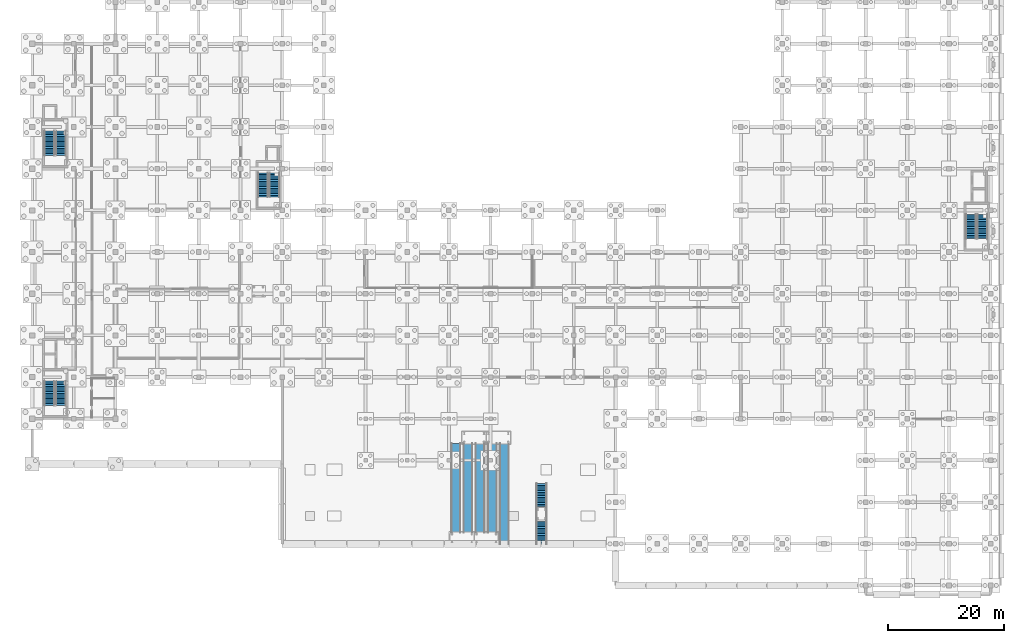
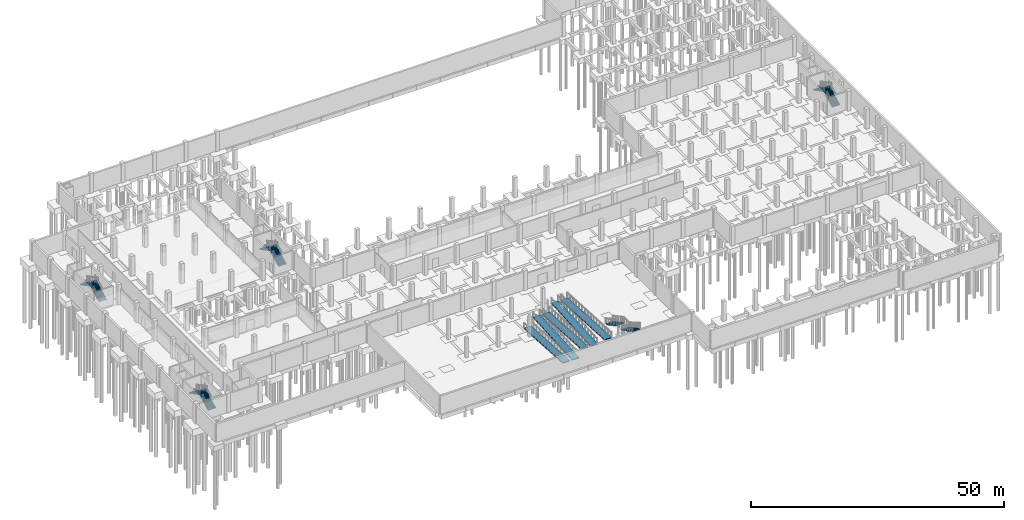
# One storey, part 31 of 38: 10 stair flights, 5 ramp flights, 10 elements without a shape of their own.
"""IFC4 building model written with IfcOpenShell, lengths in metres."""

import ifcopenshell
import ifcopenshell.guid

model = None  # the IFC model being written
_history = None  # IfcOwnerHistory: only IFC2X3 demands one
_inside = {}  # id of a spatial element -> (the spatial element, [elements in it])
_under = {}  # id of a project, library or spatial element -> (it, [spatial elements below it])
_declared = {}  # id of a project -> (the project, [libraries it declares])
_typed = {}  # id of a type object -> (the type object, [elements of that type])
_made_of = {}  # id of a material, layer set ... -> (it, [elements and type objects made of it])


def new_model(schema):
    """Start an empty IFC model of exactly this schema.

    Asked for "IFC4X3", IfcOpenShell would pick the latest addendum, in which some entities
    have other attributes; the version numbers below select the first issue.
    IFC2X3 requires an IfcOwnerHistory on every rooted entity: one is made here for all.
    """
    global model, _history
    if schema == "IFC4X3":
        model = ifcopenshell.file(schema_version=(4, 3, 0, 0))
    else:
        model = ifcopenshell.file(schema=schema)
    _inside.clear()
    _under.clear()
    _declared.clear()
    _typed.clear()
    _made_of.clear()
    _history = None
    if model.schema == "IFC2X3":
        org = make("IfcOrganization", Name="unknown")
        user = make(
            "IfcPersonAndOrganization",
            ThePerson=make("IfcPerson", FamilyName="unknown"),
            TheOrganization=org,
        )
        app = make(
            "IfcApplication",
            ApplicationDeveloper=org,
            Version="unknown",
            ApplicationFullName="unknown",
            ApplicationIdentifier="unknown",
        )
        _history = make(
            "IfcOwnerHistory",
            OwningUser=user,
            OwningApplication=app,
            ChangeAction="ADDED",
            CreationDate=0,
        )
    return model


def make(cls, **values):
    """One entity of the class cls with the attributes given. An attribute that is None is left unset."""
    return model.create_entity(
        cls, **{name: value for name, value in values.items() if value is not None}
    )


def rooted(cls, **values):
    """An entity with a GlobalId (a new one), such as an element, a storey or a relation."""
    return make(cls, GlobalId=ifcopenshell.guid.new(), OwnerHistory=_history, **values)


def si_unit(unit_type, name, prefix=None):
    """IfcSIUnit, for example si_unit("LENGTHUNIT", "METRE", prefix="MILLI")."""
    return make("IfcSIUnit", UnitType=unit_type, Prefix=prefix, Name=name)


def assignment(units):
    """IfcUnitAssignment: the units of a project."""
    return None if units is None else make("IfcUnitAssignment", Units=units)


def point(xyz):
    """IfcCartesianPoint."""
    return None if xyz is None else make("IfcCartesianPoint", Coordinates=xyz)


def direction(xyz):
    """IfcDirection."""
    return None if xyz is None else make("IfcDirection", DirectionRatios=xyz)


def frame(location, z_axis=None, x_axis=None):
    """IfcAxis2Placement3D, a coordinate frame: its origin and axes. An axis left out is left unset."""
    return make(
        "IfcAxis2Placement3D",
        Location=point(location),
        Axis=direction(z_axis),
        RefDirection=direction(x_axis),
    )


def origin():
    """The frame at (0, 0, 0) with its axes left unset."""
    return frame((0.0, 0.0, 0.0))


def place(relative_to, where):
    """IfcLocalPlacement: puts the frame where relative to a parent placement (None: the world)."""
    return make(
        "IfcLocalPlacement", PlacementRelTo=relative_to, RelativePlacement=where
    )


def context(
    kind, dimensions, precision=None, world=None, true_north=None, identifier=None
):
    """IfcGeometricRepresentationContext, for example the 3D "Model" context."""
    return make(
        "IfcGeometricRepresentationContext",
        ContextIdentifier=identifier,
        ContextType=kind,
        CoordinateSpaceDimension=dimensions,
        Precision=precision,
        WorldCoordinateSystem=world,
        TrueNorth=true_north,
    )


def subcontext(parent, identifier, kind, view, scale=None):
    """IfcGeometricRepresentationSubContext, for example "Body" below "Model"."""
    return make(
        "IfcGeometricRepresentationSubContext",
        ContextIdentifier=identifier,
        ContextType=kind,
        ParentContext=parent,
        TargetScale=scale,
        TargetView=view,
    )


def project(units=None, contexts=None):
    """IfcProject with its units and contexts."""
    return rooted(
        "IfcProject",
        Name="project",
        RepresentationContexts=contexts,
        UnitsInContext=assignment(units),
    )


def spatial(cls, under=None, at=None, **own):
    """A site, building, storey or space (cls), placed at a placement, below another one or the project."""
    s = rooted(cls, ObjectPlacement=at, **own)
    if under is not None:
        _under.setdefault(under.id(), (under, []))[1].append(s)
    return s


def polyline(points):
    """IfcPolyline through the points."""
    return make("IfcPolyline", Points=[point(p) for p in points])


def outline(outer, holes=None, kind="AREA"):
    """IfcArbitraryClosedProfileDef: a profile drawn as a closed curve; with holes, ...WithVoids."""
    if holes is None:
        return make("IfcArbitraryClosedProfileDef", ProfileType=kind, OuterCurve=outer)
    return make(
        "IfcArbitraryProfileDefWithVoids",
        ProfileType=kind,
        OuterCurve=outer,
        InnerCurves=holes,
    )


def extrude(swept, where, along, depth):
    """IfcExtrudedAreaSolid: the profile swept, set in the frame where, extruded along a direction by depth."""
    return make(
        "IfcExtrudedAreaSolid",
        SweptArea=swept,
        Position=where,
        ExtrudedDirection=direction(along),
        Depth=depth,
    )


def shape(context_of_items, identifier, shape_type, items):
    """IfcShapeRepresentation: the items that make up one representation, for example the "Body"."""
    return make(
        "IfcShapeRepresentation",
        ContextOfItems=context_of_items,
        RepresentationIdentifier=identifier,
        RepresentationType=shape_type,
        Items=items,
    )


def material(Name=None, Category=None):
    """IfcMaterial."""
    return make("IfcMaterial", Name=Name, Category=Category)


def layer(
    of_material, thickness, ventilated=None, Name=None, Category=None, Priority=None
):
    """IfcMaterialLayer: one layer of a wall or slab, of a material (None: an air gap)."""
    return make(
        "IfcMaterialLayer",
        Material=of_material,
        LayerThickness=thickness,
        IsVentilated=ventilated,
        Name=Name,
        Category=Category,
        Priority=Priority,
    )


def layer_set(layers, Name=None):
    """IfcMaterialLayerSet."""
    return make("IfcMaterialLayerSet", MaterialLayers=layers, LayerSetName=Name)


def made_of(thing, what):
    """Note that an element or type object is made of a material, layer set ...; save() writes the relation."""
    if what is not None:
        _made_of.setdefault(what.id(), (what, []))[1].append(thing)
    return thing


def type_object(cls, material=None, **own):
    """A type object (cls), such as IfcWallType, which elements share."""
    return made_of(rooted(cls, **own), material)


def element(
    cls,
    number,
    at=None,
    inside=None,
    cuts=None,
    type_object=None,
    material=None,
    context=None,
    identifier="Body",
    shape_type=None,
    held_by="IfcProductDefinitionShape",
    body=None,
    shapes=None,
    **own,
):
    """One element of the class cls, such as IfcWall. Its Tag is "e" and its number.

    at: its placement. inside: the storey or other place that contains it. cuts: it is an
    opening in that element (IfcRelVoidsElement). A single representation is given by context,
    identifier, shape_type and body (its items); several are given by shapes. held_by: the class
    of the entity that holds the representations. save() writes the other relations.
    """
    e = rooted(cls, Tag="e%d" % number, ObjectPlacement=at, **own)
    if body is not None:
        shapes = [shape(context, identifier, shape_type, body)]
    if shapes is not None:
        e.Representation = make(held_by, Representations=shapes)
    if inside is not None:
        _inside.setdefault(inside.id(), (inside, []))[1].append(e)
    if cuts is not None:
        rooted(
            "IfcRelVoidsElement", RelatingBuildingElement=cuts, RelatedOpeningElement=e
        )
    if type_object is not None:
        _typed.setdefault(type_object.id(), (type_object, []))[1].append(e)
    return made_of(e, material)


def aggregate(whole, parts):
    """IfcRelAggregates: a whole, such as a stair, and the parts it consists of."""
    return rooted("IfcRelAggregates", RelatingObject=whole, RelatedObjects=parts)


def save(model, path):
    """Write the relations noted so far, then the file.

    IfcRelAggregates (storeys below a building ...), IfcRelContainedInSpatialStructure (elements
    in a storey), IfcRelDefinesByType, IfcRelAssociatesMaterial and IfcRelDeclares: one each for
    every whole, place, type object, material and project.
    """
    for whole, parts in _under.values():
        aggregate(whole, parts)
    for where, things in _inside.values():
        rooted(
            "IfcRelContainedInSpatialStructure",
            RelatedElements=things,
            RelatingStructure=where,
        )
    for kind, things in _typed.values():
        rooted("IfcRelDefinesByType", RelatedObjects=things, RelatingType=kind)
    for what, things in _made_of.values():
        rooted("IfcRelAssociatesMaterial", RelatedObjects=things, RelatingMaterial=what)
    for by, libraries in _declared.values():
        rooted("IfcRelDeclares", RelatingContext=by, RelatedDefinitions=libraries)
    model.write(path)


model = new_model("IFC4")

# Units and contexts
model_context = context("Model", 3, precision=1e-05, world=origin(), true_north=direction((0.0, 1.0)))
body_context = subcontext(model_context, "Body", "Model", "MODEL_VIEW")
ifc_project = project(units=[si_unit("LENGTHUNIT", "METRE"), si_unit("AREAUNIT", "SQUARE_METRE"), si_unit("VOLUMEUNIT", "CUBIC_METRE"), si_unit("PLANEANGLEUNIT", "RADIAN"), si_unit("MASSUNIT", "GRAM", prefix="KILO")], contexts=[model_context])

# Site, building, storey
site_placement = place(None, origin())
site = spatial("IfcSite", under=ifc_project, at=site_placement, CompositionType="ELEMENT")
building_placement = place(site_placement, origin())
building = spatial("IfcBuilding", under=site, at=building_placement, Name="Valkovuoma Quantum and Materials Research Institute", CompositionType="ELEMENT")
storey_placement = place(building_placement, frame((0.0, 0.0, -4.800048828125)))
storey = spatial("IfcBuildingStorey", under=building, at=storey_placement, Name="B1", CompositionType="ELEMENT", Elevation=-4.800048828125)

# Stair, stair flights
ifc_material_1 = material(Name="Concrete C40/50", Category="concrete")
stair_type_1 = type_object("IfcStairType", Name="Stair-ST-COR", PredefinedType="HALF_TURN_STAIR", material=ifc_material_1)
stair_1_placement = place(storey_placement, origin())
stair_1 = element("IfcStair", 1, at=stair_1_placement, inside=storey, type_object=stair_type_1, Name="B1 Exit Stair ST-1", PredefinedType="HALF_TURN_STAIR")
ifc_material_2 = material(Name="Concrete C40/50", Category="concrete")
stair_flight_type_1 = type_object("IfcStairFlightType", Name="Flight-STF-145", PredefinedType="STRAIGHT", material=ifc_material_2)
stair_flight_1_placement = place(storey_placement, frame((4.949951171875, 31.10009765625, 0.0), z_axis=(0.0, 0.0, 1.0), x_axis=(0.0, 1.0, 0.0)))
stair_flight_1 = element("IfcStairFlight", 2, at=stair_flight_1_placement, type_object=stair_flight_type_1, Name="ST-1 flight 1", NumberOfRisers=15, NumberOfTreads=14, PredefinedType="STRAIGHT", RiserHeight=0.16, TreadLength=0.3, context=body_context, shape_type="SweptSolid", body=[
    extrude(outline(polyline([(0.0, 0.0), (0.0, 0.159912109375), (0.300048828125, 0.159912109375), (0.300048828125, 0.320068359375), (0.60009765625, 0.320068359375), (0.60009765625, 0.47998046875), (0.89990234375, 0.47998046875), (0.89990234375, 0.639892578125), (1.199951171875, 0.639892578125), (1.199951171875, 0.800048828125), (1.5, 0.800048828125), (1.5, 0.9599609375), (1.800048828125, 0.9599609375), (1.800048828125, 1.1201171875), (2.10009765625, 1.1201171875), (2.10009765625, 1.280029296875), (2.39990234375, 1.280029296875), (2.39990234375, 1.43994140625), (2.699951171875, 1.43994140625), (2.699951171875, 1.60009765625), (3.0, 1.60009765625), (3.0, 1.760009765625), (3.300048828125, 1.760009765625), (3.300048828125, 1.919921875), (3.60009765625, 1.919921875), (3.60009765625, 2.080078125), (3.89990234375, 2.080078125), (3.89990234375, 2.239990234375), (4.199951171875, 2.239990234375), (4.199951171875, 2.39990234375), (4.199951171875, 2.070068359375), (0.318603515625, 0.0), (0.0, 0.0)])), frame((0.0, 0.89990234375, 0.0), z_axis=(0.0, -1.0, 0.0), x_axis=(1.0, 0.0, 0.0)), (0.0, 0.0, 1.0), 1.800048828125),
])
stair_flight_2_placement = place(storey_placement, frame((3.0, 35.300048828125, 2.400146484375), z_axis=(0.0, 0.0, 1.0), x_axis=(0.0, -1.0, 0.0)))
stair_flight_2 = element("IfcStairFlight", 3, at=stair_flight_2_placement, type_object=stair_flight_type_1, Name="ST-1 flight 2", NumberOfRisers=15, NumberOfTreads=14, PredefinedType="STRAIGHT", RiserHeight=0.16, TreadLength=0.3, context=body_context, shape_type="SweptSolid", body=[
    extrude(outline(polyline([(0.0, 0.0), (0.0, 0.159912109375), (0.300048828125, 0.159912109375), (0.300048828125, 0.320068359375), (0.60009765625, 0.320068359375), (0.60009765625, 0.47998046875), (0.89990234375, 0.47998046875), (0.89990234375, 0.639892578125), (1.199951171875, 0.639892578125), (1.199951171875, 0.800048828125), (1.5, 0.800048828125), (1.5, 0.9599609375), (1.800048828125, 0.9599609375), (1.800048828125, 1.1201171875), (2.10009765625, 1.1201171875), (2.10009765625, 1.280029296875), (2.39990234375, 1.280029296875), (2.39990234375, 1.43994140625), (2.699951171875, 1.43994140625), (2.699951171875, 1.60009765625), (3.0, 1.60009765625), (3.0, 1.760009765625), (3.300048828125, 1.760009765625), (3.300048828125, 1.919921875), (3.60009765625, 1.919921875), (3.60009765625, 2.080078125), (3.89990234375, 2.080078125), (3.89990234375, 2.239990234375), (4.199951171875, 2.239990234375), (4.199951171875, 2.39990234375), (4.199951171875, 2.070068359375), (0.318603515625, 0.0), (0.0, 0.0)])), frame((0.0, 0.89990234375, 0.0), z_axis=(0.0, -1.0, 0.0), x_axis=(1.0, 0.0, 0.0)), (0.0, 0.0, 1.0), 1.800048828125),
])
aggregate(stair_1, [stair_flight_1, stair_flight_2])

stair_2_placement = place(storey_placement, origin())
stair_2 = element("IfcStair", 4, at=stair_2_placement, inside=storey, type_object=stair_type_1, Name="B1 Exit Stair ST-2", PredefinedType="HALF_TURN_STAIR")
stair_flight_3_placement = place(storey_placement, frame((4.949951171875, 74.300048828125, 0.0), z_axis=(0.0, 0.0, 1.0), x_axis=(0.0, 1.0, 0.0)))
stair_flight_3 = element("IfcStairFlight", 5, at=stair_flight_3_placement, type_object=stair_flight_type_1, Name="ST-2 flight 1", NumberOfRisers=15, NumberOfTreads=14, PredefinedType="STRAIGHT", RiserHeight=0.16, TreadLength=0.3, context=body_context, shape_type="SweptSolid", body=[
    extrude(outline(polyline([(0.0, 0.0), (0.0, 0.159912109375), (0.300048828125, 0.159912109375), (0.300048828125, 0.320068359375), (0.60009765625, 0.320068359375), (0.60009765625, 0.47998046875), (0.89990234375, 0.47998046875), (0.89990234375, 0.639892578125), (1.199951171875, 0.639892578125), (1.199951171875, 0.800048828125), (1.5, 0.800048828125), (1.5, 0.9599609375), (1.800048828125, 0.9599609375), (1.800048828125, 1.1201171875), (2.10009765625, 1.1201171875), (2.10009765625, 1.280029296875), (2.39990234375, 1.280029296875), (2.39990234375, 1.43994140625), (2.699951171875, 1.43994140625), (2.699951171875, 1.60009765625), (3.0, 1.60009765625), (3.0, 1.760009765625), (3.300048828125, 1.760009765625), (3.300048828125, 1.919921875), (3.60009765625, 1.919921875), (3.60009765625, 2.080078125), (3.89990234375, 2.080078125), (3.89990234375, 2.239990234375), (4.199951171875, 2.239990234375), (4.199951171875, 2.39990234375), (4.199951171875, 2.070068359375), (0.318603515625, 0.0), (0.0, 0.0)])), frame((0.0, 0.89990234375, 0.0), z_axis=(0.0, -1.0, 0.0), x_axis=(1.0, 0.0, 0.0)), (0.0, 0.0, 1.0), 1.800048828125),
])
stair_flight_4_placement = place(storey_placement, frame((3.0, 78.5, 2.400146484375), z_axis=(0.0, 0.0, 1.0), x_axis=(0.0, -1.0, 0.0)))
stair_flight_4 = element("IfcStairFlight", 6, at=stair_flight_4_placement, type_object=stair_flight_type_1, Name="ST-2 flight 2", NumberOfRisers=15, NumberOfTreads=14, PredefinedType="STRAIGHT", RiserHeight=0.16, TreadLength=0.3, context=body_context, shape_type="SweptSolid", body=[
    extrude(outline(polyline([(0.0, 0.0), (0.0, 0.159912109375), (0.300048828125, 0.159912109375), (0.300048828125, 0.320068359375), (0.60009765625, 0.320068359375), (0.60009765625, 0.47998046875), (0.89990234375, 0.47998046875), (0.89990234375, 0.639892578125), (1.199951171875, 0.639892578125), (1.199951171875, 0.800048828125), (1.5, 0.800048828125), (1.5, 0.9599609375), (1.800048828125, 0.9599609375), (1.800048828125, 1.1201171875), (2.10009765625, 1.1201171875), (2.10009765625, 1.280029296875), (2.39990234375, 1.280029296875), (2.39990234375, 1.43994140625), (2.699951171875, 1.43994140625), (2.699951171875, 1.60009765625), (3.0, 1.60009765625), (3.0, 1.760009765625), (3.300048828125, 1.760009765625), (3.300048828125, 1.919921875), (3.60009765625, 1.919921875), (3.60009765625, 2.080078125), (3.89990234375, 2.080078125), (3.89990234375, 2.239990234375), (4.199951171875, 2.239990234375), (4.199951171875, 2.39990234375), (4.199951171875, 2.070068359375), (0.318603515625, 0.0), (0.0, 0.0)])), frame((0.0, 0.89990234375, 0.0), z_axis=(0.0, -1.0, 0.0), x_axis=(1.0, 0.0, 0.0)), (0.0, 0.0, 1.0), 1.800048828125),
])
aggregate(stair_2, [stair_flight_3, stair_flight_4])

stair_3_placement = place(storey_placement, origin())
stair_3 = element("IfcStair", 7, at=stair_3_placement, inside=storey, type_object=stair_type_1, Name="B1 Exit Stair ST-3", PredefinedType="HALF_TURN_STAIR")
stair_flight_5_placement = place(storey_placement, frame((164.14990234375, 59.89990234375, 0.0), z_axis=(0.0, 0.0, 1.0), x_axis=(0.0, 1.0, 0.0)))
stair_flight_5 = element("IfcStairFlight", 8, at=stair_flight_5_placement, type_object=stair_flight_type_1, Name="ST-3 flight 1", NumberOfRisers=15, NumberOfTreads=14, PredefinedType="STRAIGHT", RiserHeight=0.16, TreadLength=0.3, context=body_context, shape_type="SweptSolid", body=[
    extrude(outline(polyline([(0.0, 0.0), (0.0, 0.159912109375), (0.300048828125, 0.159912109375), (0.300048828125, 0.320068359375), (0.60009765625, 0.320068359375), (0.60009765625, 0.47998046875), (0.89990234375, 0.47998046875), (0.89990234375, 0.639892578125), (1.199951171875, 0.639892578125), (1.199951171875, 0.800048828125), (1.5, 0.800048828125), (1.5, 0.9599609375), (1.800048828125, 0.9599609375), (1.800048828125, 1.1201171875), (2.10009765625, 1.1201171875), (2.10009765625, 1.280029296875), (2.39990234375, 1.280029296875), (2.39990234375, 1.43994140625), (2.699951171875, 1.43994140625), (2.699951171875, 1.60009765625), (3.0, 1.60009765625), (3.0, 1.760009765625), (3.300048828125, 1.760009765625), (3.300048828125, 1.919921875), (3.60009765625, 1.919921875), (3.60009765625, 2.080078125), (3.89990234375, 2.080078125), (3.89990234375, 2.239990234375), (4.199951171875, 2.239990234375), (4.199951171875, 2.39990234375), (4.199951171875, 2.070068359375), (0.318603515625, 0.0), (0.0, 0.0)])), frame((0.0, 0.89990234375, 0.0), z_axis=(0.0, -1.0, 0.0), x_axis=(1.0, 0.0, 0.0)), (0.0, 0.0, 1.0), 1.800048828125),
])
stair_flight_6_placement = place(storey_placement, frame((162.199951171875, 64.10009765625, 2.400146484375), z_axis=(0.0, 0.0, 1.0), x_axis=(0.0, -1.0, 0.0)))
stair_flight_6 = element("IfcStairFlight", 9, at=stair_flight_6_placement, type_object=stair_flight_type_1, Name="ST-3 flight 2", NumberOfRisers=15, NumberOfTreads=14, PredefinedType="STRAIGHT", RiserHeight=0.16, TreadLength=0.3, context=body_context, shape_type="SweptSolid", body=[
    extrude(outline(polyline([(0.0, 0.0), (0.0, 0.159912109375), (0.300048828125, 0.159912109375), (0.300048828125, 0.320068359375), (0.60009765625, 0.320068359375), (0.60009765625, 0.47998046875), (0.89990234375, 0.47998046875), (0.89990234375, 0.639892578125), (1.199951171875, 0.639892578125), (1.199951171875, 0.800048828125), (1.5, 0.800048828125), (1.5, 0.9599609375), (1.800048828125, 0.9599609375), (1.800048828125, 1.1201171875), (2.10009765625, 1.1201171875), (2.10009765625, 1.280029296875), (2.39990234375, 1.280029296875), (2.39990234375, 1.43994140625), (2.699951171875, 1.43994140625), (2.699951171875, 1.60009765625), (3.0, 1.60009765625), (3.0, 1.760009765625), (3.300048828125, 1.760009765625), (3.300048828125, 1.919921875), (3.60009765625, 1.919921875), (3.60009765625, 2.080078125), (3.89990234375, 2.080078125), (3.89990234375, 2.239990234375), (4.199951171875, 2.239990234375), (4.199951171875, 2.39990234375), (4.199951171875, 2.070068359375), (0.318603515625, 0.0), (0.0, 0.0)])), frame((0.0, 0.89990234375, 0.0), z_axis=(0.0, -1.0, 0.0), x_axis=(1.0, 0.0, 0.0)), (0.0, 0.0, 1.0), 1.800048828125),
])
aggregate(stair_3, [stair_flight_5, stair_flight_6])

stair_4_placement = place(storey_placement, origin())
stair_4 = element("IfcStair", 10, at=stair_4_placement, inside=storey, type_object=stair_type_1, Name="B1 Exit Stair ST-4", PredefinedType="HALF_TURN_STAIR")
stair_flight_7_placement = place(storey_placement, frame((41.85009765625, 67.10009765625, 0.0), z_axis=(0.0, 0.0, 1.0), x_axis=(0.0, 1.0, 0.0)))
stair_flight_7 = element("IfcStairFlight", 11, at=stair_flight_7_placement, type_object=stair_flight_type_1, Name="ST-4 flight 1", NumberOfRisers=15, NumberOfTreads=14, PredefinedType="STRAIGHT", RiserHeight=0.16, TreadLength=0.3, context=body_context, shape_type="SweptSolid", body=[
    extrude(outline(polyline([(0.0, 0.0), (0.0, 0.159912109375), (0.300048828125, 0.159912109375), (0.300048828125, 0.320068359375), (0.60009765625, 0.320068359375), (0.60009765625, 0.47998046875), (0.89990234375, 0.47998046875), (0.89990234375, 0.639892578125), (1.199951171875, 0.639892578125), (1.199951171875, 0.800048828125), (1.5, 0.800048828125), (1.5, 0.9599609375), (1.800048828125, 0.9599609375), (1.800048828125, 1.1201171875), (2.10009765625, 1.1201171875), (2.10009765625, 1.280029296875), (2.39990234375, 1.280029296875), (2.39990234375, 1.43994140625), (2.699951171875, 1.43994140625), (2.699951171875, 1.60009765625), (3.0, 1.60009765625), (3.0, 1.760009765625), (3.300048828125, 1.760009765625), (3.300048828125, 1.919921875), (3.60009765625, 1.919921875), (3.60009765625, 2.080078125), (3.89990234375, 2.080078125), (3.89990234375, 2.239990234375), (4.199951171875, 2.239990234375), (4.199951171875, 2.39990234375), (4.199951171875, 2.070068359375), (0.318603515625, 0.0), (0.0, 0.0)])), frame((0.0, 0.89990234375, 0.0), z_axis=(0.0, -1.0, 0.0), x_axis=(1.0, 0.0, 0.0)), (0.0, 0.0, 1.0), 1.800048828125),
])
stair_flight_8_placement = place(storey_placement, frame((39.89990234375, 71.300048828125, 2.400146484375), z_axis=(0.0, 0.0, 1.0), x_axis=(0.0, -1.0, 0.0)))
stair_flight_8 = element("IfcStairFlight", 12, at=stair_flight_8_placement, type_object=stair_flight_type_1, Name="ST-4 flight 2", NumberOfRisers=15, NumberOfTreads=14, PredefinedType="STRAIGHT", RiserHeight=0.16, TreadLength=0.3, context=body_context, shape_type="SweptSolid", body=[
    extrude(outline(polyline([(0.0, 0.0), (0.0, 0.159912109375), (0.300048828125, 0.159912109375), (0.300048828125, 0.320068359375), (0.60009765625, 0.320068359375), (0.60009765625, 0.47998046875), (0.89990234375, 0.47998046875), (0.89990234375, 0.639892578125), (1.199951171875, 0.639892578125), (1.199951171875, 0.800048828125), (1.5, 0.800048828125), (1.5, 0.9599609375), (1.800048828125, 0.9599609375), (1.800048828125, 1.1201171875), (2.10009765625, 1.1201171875), (2.10009765625, 1.280029296875), (2.39990234375, 1.280029296875), (2.39990234375, 1.43994140625), (2.699951171875, 1.43994140625), (2.699951171875, 1.60009765625), (3.0, 1.60009765625), (3.0, 1.760009765625), (3.300048828125, 1.760009765625), (3.300048828125, 1.919921875), (3.60009765625, 1.919921875), (3.60009765625, 2.080078125), (3.89990234375, 2.080078125), (3.89990234375, 2.239990234375), (4.199951171875, 2.239990234375), (4.199951171875, 2.39990234375), (4.199951171875, 2.070068359375), (0.318603515625, 0.0), (0.0, 0.0)])), frame((0.0, 0.89990234375, 0.0), z_axis=(0.0, -1.0, 0.0), x_axis=(1.0, 0.0, 0.0)), (0.0, 0.0, 1.0), 1.800048828125),
])
aggregate(stair_4, [stair_flight_7, stair_flight_8])

ifc_material_3 = material(Name="Concrete C40/50", Category="concrete")
stair_type_2 = type_object("IfcStairType", Name="Stair-ST-EXT", PredefinedType="STRAIGHT_RUN_STAIR", material=ifc_material_3)
stair_5_placement = place(storey_placement, origin())
stair_5 = element("IfcStair", 13, at=stair_5_placement, inside=storey, type_object=stair_type_2, Name="Sunken Forecourt Grand Stair ST-6", PredefinedType="STRAIGHT_RUN_STAIR")
ifc_material_4 = material(Name="Concrete C40/50", Category="concrete")
stair_flight_type_2 = type_object("IfcStairFlightType", Name="Flight-STF-180", PredefinedType="STRAIGHT", material=ifc_material_4)
stair_flight_9_placement = place(storey_placement, frame((88.0, 17.60009765625, 0.0), z_axis=(0.0, 0.0, 1.0), x_axis=(0.0, -1.0, 0.0)))
stair_flight_9 = element("IfcStairFlight", 14, at=stair_flight_9_placement, type_object=stair_flight_type_2, Name="ST-6 flight 1", NumberOfRisers=15, NumberOfTreads=14, PredefinedType="STRAIGHT", RiserHeight=0.16, TreadLength=0.3, context=body_context, shape_type="SweptSolid", body=[
    extrude(outline(polyline([(0.0, 0.0), (0.0, 0.159912109375), (0.300048828125, 0.159912109375), (0.300048828125, 0.320068359375), (0.60009765625, 0.320068359375), (0.60009765625, 0.47998046875), (0.89990234375, 0.47998046875), (0.89990234375, 0.639892578125), (1.199951171875, 0.639892578125), (1.199951171875, 0.800048828125), (1.5, 0.800048828125), (1.5, 0.9599609375), (1.800048828125, 0.9599609375), (1.800048828125, 1.1201171875), (2.10009765625, 1.1201171875), (2.10009765625, 1.280029296875), (2.39990234375, 1.280029296875), (2.39990234375, 1.43994140625), (2.699951171875, 1.43994140625), (2.699951171875, 1.60009765625), (3.0, 1.60009765625), (3.0, 1.760009765625), (3.300048828125, 1.760009765625), (3.300048828125, 1.919921875), (3.60009765625, 1.919921875), (3.60009765625, 2.080078125), (3.89990234375, 2.080078125), (3.89990234375, 2.239990234375), (4.199951171875, 2.239990234375), (4.199951171875, 2.39990234375), (4.199951171875, 2.058837890625), (0.33984375, 0.0), (0.0, 0.0)])), frame((0.0, 0.89990234375, 0.0), z_axis=(0.0, -1.0, 0.0), x_axis=(1.0, 0.0, 0.0)), (0.0, 0.0, 1.0), 1.800048828125),
])
stair_flight_10_placement = place(storey_placement, frame((88.0, 11.35009765625, 2.400146484375), z_axis=(0.0, 0.0, 1.0), x_axis=(0.0, -1.0, 0.0)))
stair_flight_10 = element("IfcStairFlight", 15, at=stair_flight_10_placement, type_object=stair_flight_type_2, Name="ST-6 flight 2", NumberOfRisers=15, NumberOfTreads=14, PredefinedType="STRAIGHT", RiserHeight=0.16, TreadLength=0.3, context=body_context, shape_type="SweptSolid", body=[
    extrude(outline(polyline([(0.0, 0.0), (0.0, 0.159912109375), (0.300048828125, 0.159912109375), (0.300048828125, 0.320068359375), (0.60009765625, 0.320068359375), (0.60009765625, 0.47998046875), (0.89990234375, 0.47998046875), (0.89990234375, 0.639892578125), (1.199951171875, 0.639892578125), (1.199951171875, 0.800048828125), (1.5, 0.800048828125), (1.5, 0.9599609375), (1.800048828125, 0.9599609375), (1.800048828125, 1.1201171875), (2.10009765625, 1.1201171875), (2.10009765625, 1.280029296875), (2.39990234375, 1.280029296875), (2.39990234375, 1.43994140625), (2.699951171875, 1.43994140625), (2.699951171875, 1.60009765625), (3.0, 1.60009765625), (3.0, 1.760009765625), (3.300048828125, 1.760009765625), (3.300048828125, 1.919921875), (3.60009765625, 1.919921875), (3.60009765625, 2.080078125), (3.89990234375, 2.080078125), (3.89990234375, 2.239990234375), (4.199951171875, 2.239990234375), (4.199951171875, 2.39990234375), (4.199951171875, 2.058837890625), (0.33984375, 0.0), (0.0, 0.0)])), frame((0.0, 0.89990234375, 0.0), z_axis=(0.0, -1.0, 0.0), x_axis=(1.0, 0.0, 0.0)), (0.0, 0.0, 1.0), 1.800048828125),
])
aggregate(stair_5, [stair_flight_9, stair_flight_10])

# Ramp, ramp flight
ifc_material_5 = material(Name="Concrete C40/50", Category="concrete")
ramp_type = type_object("IfcRampType", Name="Ramp-PED", PredefinedType="STRAIGHT_RUN_RAMP", material=ifc_material_5)
ramp_1_placement = place(storey_placement, origin())
ramp_1 = element("IfcRamp", 16, at=ramp_1_placement, inside=storey, type_object=ramp_type, Name="Forecourt accessible ramp 1", PredefinedType="STRAIGHT_RUN_RAMP")
ifc_material_6 = material(Name="Concrete C40/50", Category="concrete")
ifc_layer = layer(ifc_material_6, 0.219970703125)
ifc_layer_set = layer_set([ifc_layer], Name="Concrete C40/50")
ramp_flight_type = type_object("IfcRampFlightType", Name="RmpFlt-PED", PredefinedType="STRAIGHT", material=ifc_layer_set)
ramp_flight_1_placement = place(storey_placement, frame((73.199951171875, 24.510009765625, 0.0), z_axis=(0.0, 0.0, 1.0), x_axis=(0.0, -1.0, 0.0)))
ramp_flight_1 = element("IfcRampFlight", 17, at=ramp_flight_1_placement, type_object=ramp_flight_type, Name="Forecourt accessible ramp flight 1", PredefinedType="STRAIGHT", context=body_context, shape_type="SweptSolid", body=[
    extrude(outline(polyline([(0.0, 0.0), (15.360107421875, 0.9599609375), (15.360107421875, 0.739990234375), (0.0, -0.219970703125), (0.0, 0.0)])), frame((0.0, 0.800048828125, 0.0), z_axis=(0.0, -1.0, 0.0), x_axis=(1.0, 0.0, 0.0)), (0.0, 0.0, 1.0), 1.60009765625),
])
aggregate(ramp_1, [ramp_flight_1])

ramp_2_placement = place(storey_placement, origin())
ramp_2 = element("IfcRamp", 18, at=ramp_2_placement, inside=storey, type_object=ramp_type, Name="Forecourt accessible ramp 2", PredefinedType="STRAIGHT_RUN_RAMP")
ramp_flight_2_placement = place(storey_placement, frame((75.300048828125, 9.14990234375, 0.9599609375), z_axis=(0.0, 0.0, 1.0), x_axis=(0.0, 1.0, 0.0)))
ramp_flight_2 = element("IfcRampFlight", 19, at=ramp_flight_2_placement, type_object=ramp_flight_type, Name="Forecourt accessible ramp flight 2", PredefinedType="STRAIGHT", context=body_context, shape_type="SweptSolid", body=[
    extrude(outline(polyline([(0.0, 0.0), (15.360107421875, 0.9599609375), (15.360107421875, 0.739990234375), (0.0, -0.219970703125), (0.0, 0.0)])), frame((0.0, 0.800048828125, 0.0), z_axis=(0.0, -1.0, 0.0), x_axis=(1.0, 0.0, 0.0)), (0.0, 0.0, 1.0), 1.60009765625),
])
aggregate(ramp_2, [ramp_flight_2])

ramp_3_placement = place(storey_placement, origin())
ramp_3 = element("IfcRamp", 20, at=ramp_3_placement, inside=storey, type_object=ramp_type, Name="Forecourt accessible ramp 3", PredefinedType="STRAIGHT_RUN_RAMP")
ramp_flight_3_placement = place(storey_placement, frame((77.39990234375, 24.510009765625, 1.920166015625), z_axis=(0.0, 0.0, 1.0), x_axis=(0.0, -1.0, 0.0)))
ramp_flight_3 = element("IfcRampFlight", 21, at=ramp_flight_3_placement, type_object=ramp_flight_type, Name="Forecourt accessible ramp flight 3", PredefinedType="STRAIGHT", context=body_context, shape_type="SweptSolid", body=[
    extrude(outline(polyline([(0.0, 0.0), (15.360107421875, 0.9599609375), (15.360107421875, 0.739990234375), (0.0, -0.219970703125), (0.0, 0.0)])), frame((0.0, 0.800048828125, 0.0), z_axis=(0.0, -1.0, 0.0), x_axis=(1.0, 0.0, 0.0)), (0.0, 0.0, 1.0), 1.60009765625),
])
aggregate(ramp_3, [ramp_flight_3])

ramp_4_placement = place(storey_placement, origin())
ramp_4 = element("IfcRamp", 22, at=ramp_4_placement, inside=storey, type_object=ramp_type, Name="Forecourt accessible ramp 4", PredefinedType="STRAIGHT_RUN_RAMP")
ramp_flight_4_placement = place(storey_placement, frame((79.5, 9.14990234375, 2.880126953125), z_axis=(0.0, 0.0, 1.0), x_axis=(0.0, 1.0, 0.0)))
ramp_flight_4 = element("IfcRampFlight", 23, at=ramp_flight_4_placement, type_object=ramp_flight_type, Name="Forecourt accessible ramp flight 4", PredefinedType="STRAIGHT", context=body_context, shape_type="SweptSolid", body=[
    extrude(outline(polyline([(0.0, 0.0), (15.360107421875, 0.9599609375), (15.360107421875, 0.739990234375), (0.0, -0.219970703125), (0.0, 0.0)])), frame((0.0, 0.800048828125, 0.0), z_axis=(0.0, -1.0, 0.0), x_axis=(1.0, 0.0, 0.0)), (0.0, 0.0, 1.0), 1.60009765625),
])
aggregate(ramp_4, [ramp_flight_4])

ramp_5_placement = place(storey_placement, origin())
ramp_5 = element("IfcRamp", 24, at=ramp_5_placement, inside=storey, type_object=ramp_type, Name="Forecourt accessible ramp 5", PredefinedType="STRAIGHT_RUN_RAMP")
ramp_flight_5_placement = place(storey_placement, frame((81.60009765625, 24.510009765625, 3.840087890625), z_axis=(0.0, 0.0, 1.0), x_axis=(0.0, -1.0, 0.0)))
ramp_flight_5 = element("IfcRampFlight", 25, at=ramp_flight_5_placement, type_object=ramp_flight_type, Name="Forecourt accessible ramp flight 5", PredefinedType="STRAIGHT", context=body_context, shape_type="SweptSolid", body=[
    extrude(outline(polyline([(0.0, 0.0), (17.360107421875, 0.9599609375), (17.360107421875, 0.739990234375), (0.0, -0.219970703125), (0.0, 0.0)])), frame((0.0, 0.800048828125, 0.0), z_axis=(0.0, -1.0, 0.0), x_axis=(1.0, 0.0, 0.0)), (0.0, 0.0, 1.0), 1.60009765625),
])
aggregate(ramp_5, [ramp_flight_5])

save(model, "model.ifc")
